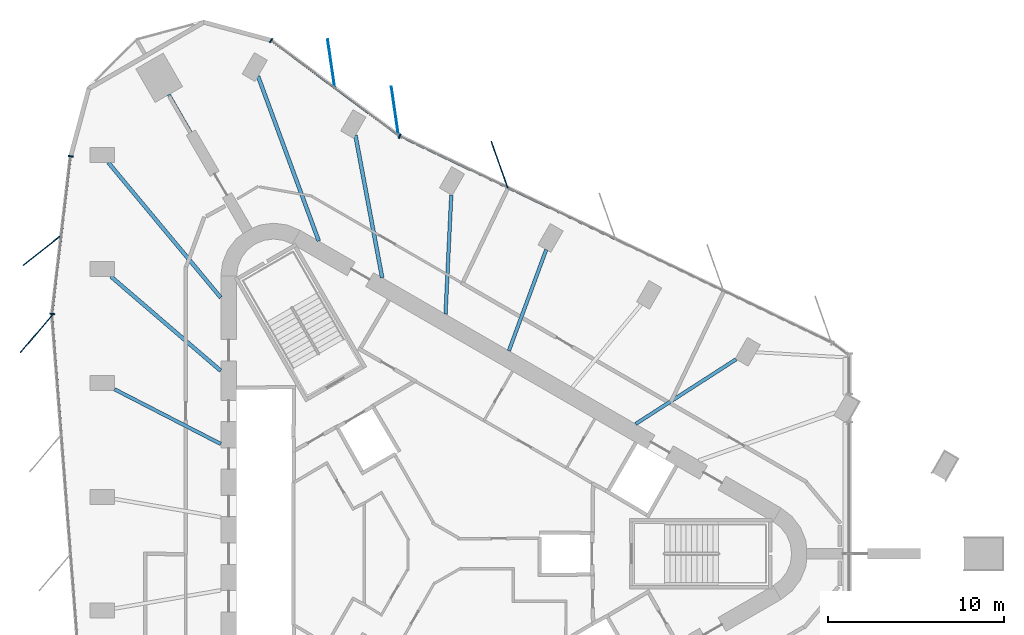
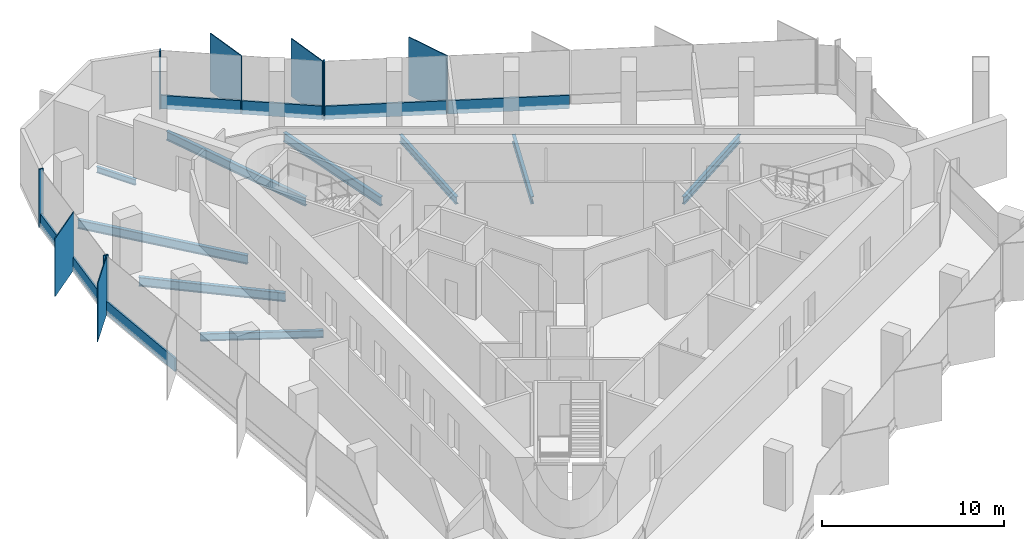
# One storey, part 4 of 12: 16 members, 9 beams, 4 elements without a shape of their own.
"""IFC4 building model written with IfcOpenShell, lengths in metres."""

from ifc_helpers import new_model, si_unit, direction, frame, origin, origin_2d, place, context, subcontext, project, spatial, rectangle, i_section, extrude, material, material_profile, profile_set, type_object, element, aggregate, save


model = new_model("IFC4")

# Units and contexts
model_context = context("Model", 3, precision=1e-05, world=origin(), true_north=direction((0.0, 1.0)))
body_context = subcontext(model_context, "Body", "Model", "MODEL_VIEW")
ifc_project = project(units=[si_unit("LENGTHUNIT", "METRE"), si_unit("AREAUNIT", "SQUARE_METRE"), si_unit("VOLUMEUNIT", "CUBIC_METRE"), si_unit("PLANEANGLEUNIT", "RADIAN"), si_unit("MASSUNIT", "GRAM", prefix="KILO")], contexts=[model_context])

# Site, building, storey
site_placement = place(None, origin())
site = spatial("IfcSite", under=ifc_project, at=site_placement, CompositionType="ELEMENT")
building_placement = place(site_placement, origin())
building = spatial("IfcBuilding", under=site, at=building_placement, Name="Tanit Gate Tower", CompositionType="ELEMENT")
storey_placement = place(building_placement, frame((0.0, 0.0, 384.5)))
storey = spatial("IfcBuildingStorey", under=building, at=storey_placement, Name="L88", CompositionType="ELEMENT", Elevation=384.5)

# Curtain wall, member
ifc_material_1 = material(Name="Aluminium bronze anodised and glass", Category="aluminium")
curtain_wall_type = type_object("IfcCurtainWallType", Name="Curtain wall typical high", PredefinedType="NOTDEFINED", material=ifc_material_1)
curtain_wall_1_placement = place(storey_placement, origin())
curtain_wall_1 = element("IfcCurtainWall", 1, at=curtain_wall_1_placement, inside=storey, type_object=curtain_wall_type, Name="Curtain wall L88 NE2", PredefinedType="NOTDEFINED")
ifc_material_2 = material(Name="Aluminium bronze anodised", Category="aluminium")
ifc_material_profile_1 = material_profile(ifc_material_2, rectangle(XDim=2.800048828125, YDim=0.055908203125, at=origin_2d()), Name="56x2800 bronze fin mullion")
ifc_profile_set_1 = profile_set([ifc_material_profile_1], Name="Aluminium bronze anodised")
member_type_1 = type_object("IfcMemberType", Name="FIN MULLION 56x2800 bronze", PredefinedType="MULLION", material=ifc_profile_set_1)
member_1_placement = place(storey_placement, frame((3.719970703125, 22.080322265625, -0.300048828125), z_axis=(0.0, 0.0, 1.0), x_axis=(0.333220063881, -0.942849080727, 0.0)))
member_1 = element("IfcMember", 2, at=member_1_placement, type_object=member_type_1, Name="Fin mullion L88 NE2.4", PredefinedType="MULLION", context=body_context, shape_type="SweptSolid", body=[
    extrude(rectangle(XDim=2.800048828125, YDim=0.055908203125, at=origin_2d()), origin(), (0.0, 0.0, 1.0), 3.900146484375),
])

# Curtain wall, members
curtain_wall_2_placement = place(storey_placement, origin())
curtain_wall_2 = element("IfcCurtainWall", 3, at=curtain_wall_2_placement, inside=storey, type_object=curtain_wall_type, Name="Curtain wall L88 NE3", PredefinedType="NOTDEFINED")
member_2_placement = place(storey_placement, frame((-2.212646484375, 25.11181640625, -0.300048828125), z_axis=(0.0, 0.0, 1.0), x_axis=(0.144707417984, -0.989474488393, 0.0)))
member_2 = element("IfcMember", 4, at=member_2_placement, type_object=member_type_1, Name="Fin mullion L88 NE3.1", PredefinedType="MULLION", context=body_context, shape_type="SweptSolid", body=[
    extrude(rectangle(XDim=2.800048828125, YDim=0.055908203125, at=origin_2d()), origin(), (0.0, 0.0, 1.0), 3.900146484375),
])
member_3_placement = place(storey_placement, frame((-5.82958984375, 27.8056640625, -0.300048828125), z_axis=(0.0, 0.0, 1.0), x_axis=(0.144707417984, -0.989474488393, 0.0)))
member_3 = element("IfcMember", 5, at=member_3_placement, type_object=member_type_1, Name="Fin mullion L88 NE3.2", PredefinedType="MULLION", context=body_context, shape_type="SweptSolid", body=[
    extrude(rectangle(XDim=2.800048828125, YDim=0.055908203125, at=origin_2d()), origin(), (0.0, 0.0, 1.0), 3.900146484375),
])

# Curtain wall, member
curtain_wall_3_placement = place(storey_placement, origin())
curtain_wall_3 = element("IfcCurtainWall", 6, at=curtain_wall_3_placement, inside=storey, type_object=curtain_wall_type, Name="Curtain wall L88 W1", PredefinedType="NOTDEFINED")
member_4_placement = place(storey_placement, frame((-22.227294921875, 17.230712890625, -0.300048828125), z_axis=(0.0, 0.0, 1.0), x_axis=(0.784556334353, 0.620057544286, 0.0)))
member_4 = element("IfcMember", 7, at=member_4_placement, type_object=member_type_1, Name="Fin mullion L88 W1.2", PredefinedType="MULLION", context=body_context, shape_type="SweptSolid", body=[
    extrude(rectangle(XDim=2.800048828125, YDim=0.055908203125, at=origin_2d()), origin(), (0.0, 0.0, 1.0), 3.900146484375),
])

curtain_wall_4_placement = place(storey_placement, origin())
curtain_wall_4 = element("IfcCurtainWall", 8, at=curtain_wall_4_placement, inside=storey, type_object=curtain_wall_type, Name="Curtain wall L88 W2", PredefinedType="NOTDEFINED")
member_5_placement = place(storey_placement, frame((-22.567138671875, 12.48291015625, -0.300048828125), z_axis=(0.0, 0.0, 1.0), x_axis=(0.649921223903, 0.760001580735, 0.0)))
member_5 = element("IfcMember", 9, at=member_5_placement, type_object=member_type_1, Name="Fin mullion L88 W2.1", PredefinedType="MULLION", context=body_context, shape_type="SweptSolid", body=[
    extrude(rectangle(XDim=2.800048828125, YDim=0.055908203125, at=origin_2d()), origin(), (0.0, 0.0, 1.0), 3.900146484375),
])

# Member
ifc_material_3 = material(Name="Aluminium bronze anodised", Category="aluminium")
ifc_material_profile_2 = material_profile(ifc_material_3, rectangle(XDim=0.280029296875, YDim=0.080078125, at=origin_2d()), Name="80x280 bronze mullion")
ifc_profile_set_2 = profile_set([ifc_material_profile_2], Name="Aluminium bronze anodised")
member_type_2 = type_object("IfcMemberType", Name="Mullion 80x280 typical high", PredefinedType="MULLION", material=ifc_profile_set_2)
member_6_placement = place(storey_placement, frame((-1.94482421875, 23.704833984375, -0.300048828125), z_axis=(0.0, 0.0, 1.0), x_axis=(-0.431072811819, -0.902317145415, 0.0)))
member_6 = element("IfcMember", 10, at=member_6_placement, type_object=member_type_2, Name="Mullion L88 NE2.5", PredefinedType="MULLION", context=body_context, shape_type="SweptSolid", body=[
    extrude(rectangle(XDim=0.280029296875, YDim=0.080078125, at=origin_2d()), origin(), (0.0, 0.0, 1.0), 3.900146484375),
])

member_7_placement = place(storey_placement, frame((-9.246826171875, 29.134033203125, -0.300048828125), z_axis=(0.0, 0.0, 1.0), x_axis=(-0.59734052401, -0.801987717098, 0.0)))
member_7 = element("IfcMember", 11, at=member_7_placement, type_object=member_type_2, Name="Mullion L88 NE3.3", PredefinedType="MULLION", context=body_context, shape_type="SweptSolid", body=[
    extrude(rectangle(XDim=0.280029296875, YDim=0.080078125, at=origin_2d()), origin(), (0.0, 0.0, 1.0), 3.900146484375),
])

member_8_placement = place(storey_placement, frame((-20.620361328125, 22.561279296875, -0.300048828125), z_axis=(0.0, 0.0, 1.0), x_axis=(0.993211998535, -0.116318209953, 0.0)))
member_8 = element("IfcMember", 12, at=member_8_placement, type_object=member_type_2, Name="Mullion L88 W1.1", PredefinedType="MULLION", context=body_context, shape_type="SweptSolid", body=[
    extrude(rectangle(XDim=0.280029296875, YDim=0.080078125, at=origin_2d()), origin(), (0.0, 0.0, 1.0), 3.900146484375),
])

member_9_placement = place(storey_placement, frame((-21.668701171875, 13.611572265625, -0.300048828125), z_axis=(0.0, 0.0, 1.0), x_axis=(0.993211998535, -0.116318209953, 0.0)))
member_9 = element("IfcMember", 13, at=member_9_placement, type_object=member_type_2, Name="Mullion L88 W1.3", PredefinedType="MULLION", context=body_context, shape_type="SweptSolid", body=[
    extrude(rectangle(XDim=0.280029296875, YDim=0.080078125, at=origin_2d()), origin(), (0.0, 0.0, 1.0), 3.900146484375),
])

# Beams
ifc_material_4 = material(Name="Steel S355", Category="steel")
ifc_material_profile_3 = material_profile(ifc_material_4, i_section(OverallWidth=0.179931640625, OverallDepth=0.39990234375, WebThickness=0.008544921875, FlangeThickness=0.013427734375, FilletRadius=0.02099609375, at=origin_2d()), Name="IPE 400")
ifc_profile_set_3 = profile_set([ifc_material_profile_3], Name="Steel S355")
beam_type_1 = type_object("IfcBeamType", Name="RADIAL GIRDER IPE 400 S355", PredefinedType="BEAM", material=ifc_profile_set_3)
beam_1_placement = place(storey_placement, frame((-15.0478515625, 26.063720703125, -0.5), z_axis=(0.499965672037, -0.866045222136, 0.0), x_axis=(0.866045222136, 0.499965672037, 0.0)))
element("IfcBeam", 14, at=beam_1_placement, inside=storey, type_object=beam_type_1, Name="RADIAL GIRDER", PredefinedType="BEAM", context=body_context, shape_type="SweptSolid", body=[
    extrude(i_section(OverallWidth=0.179931640625, OverallDepth=0.39990234375, WebThickness=0.008544921875, FlangeThickness=0.013427734375, FilletRadius=0.02099609375, at=origin_2d()), origin(), (0.0, 0.0, 1.0), 2.490966796875),
])
ifc_material_5 = material(Name="Steel S355", Category="steel")
ifc_material_profile_4 = material_profile(ifc_material_5, i_section(OverallWidth=0.199951171875, OverallDepth=0.5, WebThickness=0.01025390625, FlangeThickness=0.01611328125, FilletRadius=0.02099609375, at=origin_2d()), Name="IPE 500")
ifc_profile_set_4 = profile_set([ifc_material_profile_4], Name="Steel S355")
beam_type_2 = type_object("IfcBeamType", Name="RADIAL GIRDER IPE 500 S355", PredefinedType="BEAM", material=ifc_profile_set_4)
beam_2_placement = place(storey_placement, frame((17.151611328125, 11.036865234375, -0.550048828125), z_axis=(-0.840921151668, -0.541157663419, 0.0), x_axis=(0.541157663419, -0.840921151668, 0.0)))
element("IfcBeam", 15, at=beam_2_placement, inside=storey, type_object=beam_type_2, Name="RADIAL GIRDER", PredefinedType="BEAM", context=body_context, shape_type="SweptSolid", body=[
    extrude(i_section(OverallWidth=0.199951171875, OverallDepth=0.5, WebThickness=0.01025390625, FlangeThickness=0.01611328125, FilletRadius=0.02099609375, at=origin_2d()), origin(), (0.0, 0.0, 1.0), 6.784423828125),
])
beam_3_placement = place(storey_placement, frame((6.3720703125, 17.260498046875, -0.550048828125), z_axis=(-0.346331956525, -0.938112027366, 0.0), x_axis=(0.938112027366, -0.346331956525, 0.0)))
element("IfcBeam", 16, at=beam_3_placement, inside=storey, type_object=beam_type_2, Name="RADIAL GIRDER", PredefinedType="BEAM", context=body_context, shape_type="SweptSolid", body=[
    extrude(i_section(OverallWidth=0.199951171875, OverallDepth=0.5, WebThickness=0.01025390625, FlangeThickness=0.01611328125, FilletRadius=0.02099609375, at=origin_2d()), origin(), (0.0, 0.0, 1.0), 6.1201171875),
])
for number, where, z_axis, x_axis, name in (
    (17, (0.982177734375, 20.372314453125, -0.550048828125), (-0.048148149824, -0.998840205272, 0.0), (0.998840205272, -0.048148149824, 0.0), "RADIAL GIRDER"),
    (18, (-18.134033203125, 9.33544921875, -0.550048828125), (0.889089509104, -0.457733377416, 0.0), (0.457733377416, 0.889089509104, 0.0), "RADIAL GIRDER"),
):
    element("IfcBeam", number, at=place(storey_placement, frame(where, z_axis=z_axis, x_axis=x_axis)), inside=storey, type_object=beam_type_2, Name=name, PredefinedType="BEAM", context=body_context, shape_type="SweptSolid", body=[
        extrude(i_section(OverallWidth=0.199951171875, OverallDepth=0.5, WebThickness=0.01025390625, FlangeThickness=0.01611328125, FilletRadius=0.02099609375, at=origin_2d()), origin(), (0.0, 0.0, 1.0), 6.784423828125),
    ])
ifc_material_6 = material(Name="Steel S355", Category="steel")
ifc_material_profile_5 = material_profile(ifc_material_6, i_section(OverallWidth=0.219970703125, OverallDepth=0.60009765625, WebThickness=0.011962890625, FlangeThickness=0.01904296875, FilletRadius=0.02392578125, at=origin_2d()), Name="IPE 600")
ifc_profile_set_5 = profile_set([ifc_material_profile_5], Name="Steel S355")
beam_type_3 = type_object("IfcBeamType", Name="RADIAL GIRDER IPE 600 S355", PredefinedType="BEAM", material=ifc_profile_set_5)
beam_4_placement = place(storey_placement, frame((-4.45751953125, 23.7490234375, -0.60009765625), z_axis=(0.184498405984, -0.982832812939, 0.0), x_axis=(0.982832812939, 0.184498405984, 0.0)))
element("IfcBeam", 19, at=beam_4_placement, inside=storey, type_object=beam_type_3, Name="RADIAL GIRDER", PredefinedType="BEAM", context=body_context, shape_type="SweptSolid", body=[
    extrude(i_section(OverallWidth=0.219970703125, OverallDepth=0.60009765625, WebThickness=0.011962890625, FlangeThickness=0.01904296875, FilletRadius=0.02392578125, at=origin_2d()), origin(), (0.0, 0.0, 1.0), 8.217529296875),
])
for number, where, z_axis, x_axis, name in (
    (20, (-9.984619140625, 27.103515625, -0.60009765625), (0.345682660263, -0.938351479134, 0.0), (0.938351479134, 0.345682660263, 0.0), "RADIAL GIRDER"),
    (21, (-18.480224609375, 22.198486328125, -0.60009765625), (0.639810946261, -0.768532337019, 0.0), (0.768532337019, 0.639810946261, 0.0), "RADIAL GIRDER"),
):
    element("IfcBeam", number, at=place(storey_placement, frame(where, z_axis=z_axis, x_axis=x_axis)), inside=storey, type_object=beam_type_3, Name=name, PredefinedType="BEAM", context=body_context, shape_type="SweptSolid", body=[
        extrude(i_section(OverallWidth=0.219970703125, OverallDepth=0.60009765625, WebThickness=0.011962890625, FlangeThickness=0.01904296875, FilletRadius=0.02392578125, at=origin_2d()), origin(), (0.0, 0.0, 1.0), 9.96875),
    ])
beam_5_placement = place(storey_placement, frame((-18.338623046875, 15.734619140625, -0.60009765625), z_axis=(0.758929352331, -0.651172971008, 0.0), x_axis=(0.651172971008, 0.758929352331, 0.0)))
element("IfcBeam", 22, at=beam_5_placement, inside=storey, type_object=beam_type_3, Name="RADIAL GIRDER", PredefinedType="BEAM", context=body_context, shape_type="SweptSolid", body=[
    extrude(i_section(OverallWidth=0.219970703125, OverallDepth=0.60009765625, WebThickness=0.011962890625, FlangeThickness=0.01904296875, FilletRadius=0.02392578125, at=origin_2d()), origin(), (0.0, 0.0, 1.0), 8.217529296875),
])

# Member
ifc_material_7 = material(Name="Aluminium bronze anodised", Category="aluminium")
ifc_material_profile_6 = material_profile(ifc_material_7, rectangle(XDim=0.1201171875, YDim=0.89990234375, at=origin_2d()), Name="120x900 bronze transom")
ifc_profile_set_6 = profile_set([ifc_material_profile_6], Name="Aluminium bronze anodised")
member_type_3 = type_object("IfcMemberType", Name="Transom 120x900 typical high", PredefinedType="USERDEFINED", material=ifc_profile_set_6)
member_10_placement = place(storey_placement, frame((10.2685546875, 17.8701171875, 0.14990234375), z_axis=(-0.902312153024, 0.431083261685, 0.0), x_axis=(-0.431083261685, -0.902312153024, 0.0)))
member_10 = element("IfcMember", 23, at=member_10_placement, type_object=member_type_3, Name="Transom L88 NE2.3", ObjectType="TRANSOM", PredefinedType="USERDEFINED", context=body_context, shape_type="SweptSolid", body=[
    extrude(rectangle(XDim=0.1201171875, YDim=0.89990234375, at=origin_2d()), origin(), (0.0, 0.0, 1.0), 6.707763671875),
])

member_11_placement = place(storey_placement, frame((4.14404296875, 20.796142578125, 0.14990234375), z_axis=(-0.902318916403, 0.431069104787, 0.0), x_axis=(-0.431069104787, -0.902318916403, 0.0)))
member_11 = element("IfcMember", 24, at=member_11_placement, type_object=member_type_3, Name="Transom L88 NE2.4", ObjectType="TRANSOM", PredefinedType="USERDEFINED", context=body_context, shape_type="SweptSolid", body=[
    extrude(rectangle(XDim=0.1201171875, YDim=0.89990234375, at=origin_2d()), origin(), (0.0, 0.0, 1.0), 6.7080078125),
])

aggregate(curtain_wall_1, [member_1, member_6, member_10, member_11])

member_12_placement = place(storey_placement, frame((-2.044921875, 23.77001953125, 0.14990234375), z_axis=(-0.801979633129, 0.59735137737, 0.0), x_axis=(-0.59735137737, -0.801979633129, 0.0)))
member_12 = element("IfcMember", 25, at=member_12_placement, type_object=member_type_3, Name="Transom L88 NE3.1", ObjectType="TRANSOM", PredefinedType="USERDEFINED", context=body_context, shape_type="SweptSolid", body=[
    extrude(rectangle(XDim=0.1201171875, YDim=0.89990234375, at=origin_2d()), origin(), (0.0, 0.0, 1.0), 4.429931640625),
])

member_13_placement = place(storey_placement, frame((-5.661865234375, 26.4638671875, 0.14990234375), z_axis=(-0.801999297117, 0.597324976393, 0.0), x_axis=(-0.597324976393, -0.801999297117, 0.0)))
member_13 = element("IfcMember", 26, at=member_13_placement, type_object=member_type_3, Name="Transom L88 NE3.2", ObjectType="TRANSOM", PredefinedType="USERDEFINED", context=body_context, shape_type="SweptSolid", body=[
    extrude(rectangle(XDim=0.1201171875, YDim=0.89990234375, at=origin_2d()), origin(), (0.0, 0.0, 1.0), 4.43017578125),
])

aggregate(curtain_wall_2, [member_2, member_3, member_7, member_12, member_13])

member_14_placement = place(storey_placement, frame((-20.625, 22.521484375, 0.14990234375), z_axis=(-0.116351490512, -0.993208100378, 0.0), x_axis=(0.993208100378, -0.116351490512, 0.0)))
member_14 = element("IfcMember", 27, at=member_14_placement, type_object=member_type_3, Name="Transom L88 W1.1", ObjectType="TRANSOM", PredefinedType="USERDEFINED", context=body_context, shape_type="SweptSolid", body=[
    extrude(rectangle(XDim=0.1201171875, YDim=0.89990234375, at=origin_2d()), origin(), (0.0, 0.0, 1.0), 4.42529296875),
])

member_15_placement = place(storey_placement, frame((-21.149169921875, 18.046630859375, 0.14990234375), z_axis=(-0.116351490512, -0.993208100378, 0.0), x_axis=(0.993208100378, -0.116351490512, 0.0)))
member_15 = element("IfcMember", 28, at=member_15_placement, type_object=member_type_3, Name="Transom L88 W1.2", ObjectType="TRANSOM", PredefinedType="USERDEFINED", context=body_context, shape_type="SweptSolid", body=[
    extrude(rectangle(XDim=0.1201171875, YDim=0.89990234375, at=origin_2d()), origin(), (0.0, 0.0, 1.0), 4.42529296875),
])

aggregate(curtain_wall_3, [member_8, member_4, member_9, member_14, member_15])

member_16_placement = place(storey_placement, frame((-21.6669921875, 13.4921875, 0.14990234375), z_axis=(0.077851491829, -0.996964966897, 0.0), x_axis=(0.996964966897, 0.077851491829, 0.0)))
member_16 = element("IfcMember", 29, at=member_16_placement, type_object=member_type_3, Name="Transom L88 W2.1", ObjectType="TRANSOM", PredefinedType="USERDEFINED", context=body_context, shape_type="SweptSolid", body=[
    extrude(rectangle(XDim=0.1201171875, YDim=0.89990234375, at=origin_2d()), origin(), (0.0, 0.0, 1.0), 6.707763671875),
])

aggregate(curtain_wall_4, [member_5, member_16])

save(model, "model.ifc")
